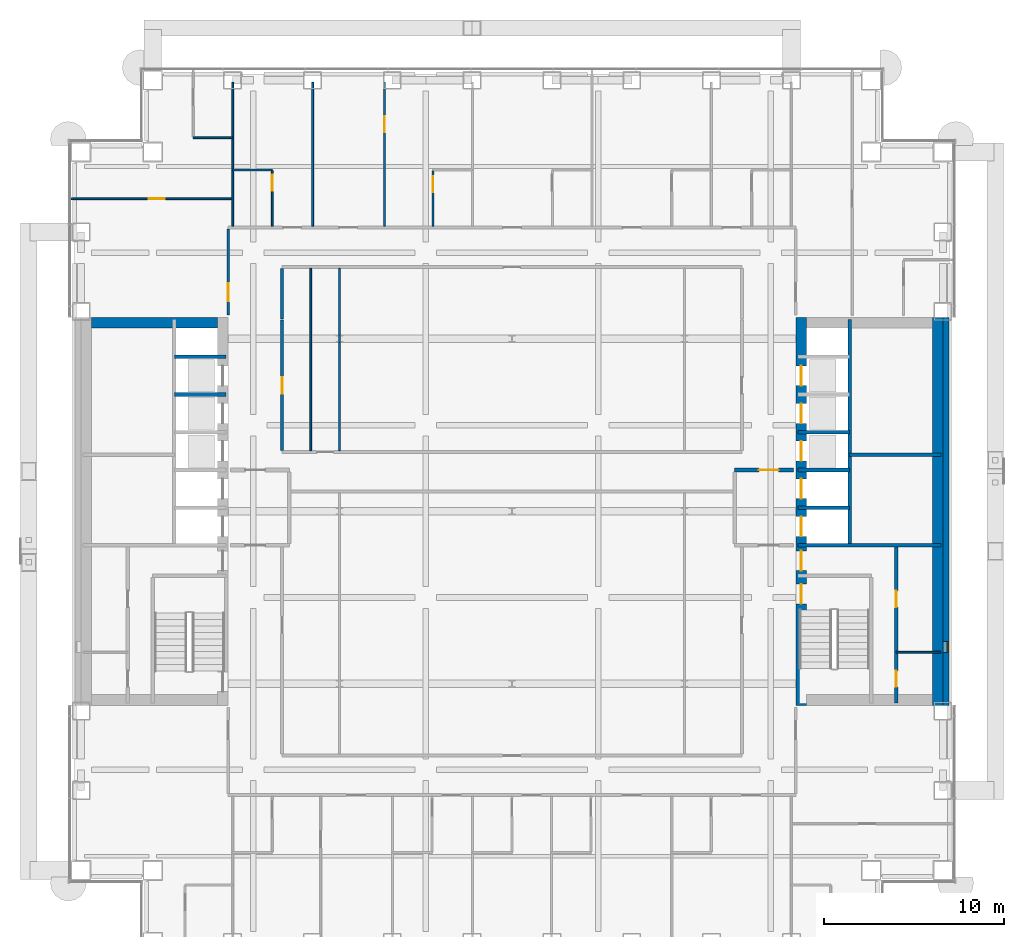
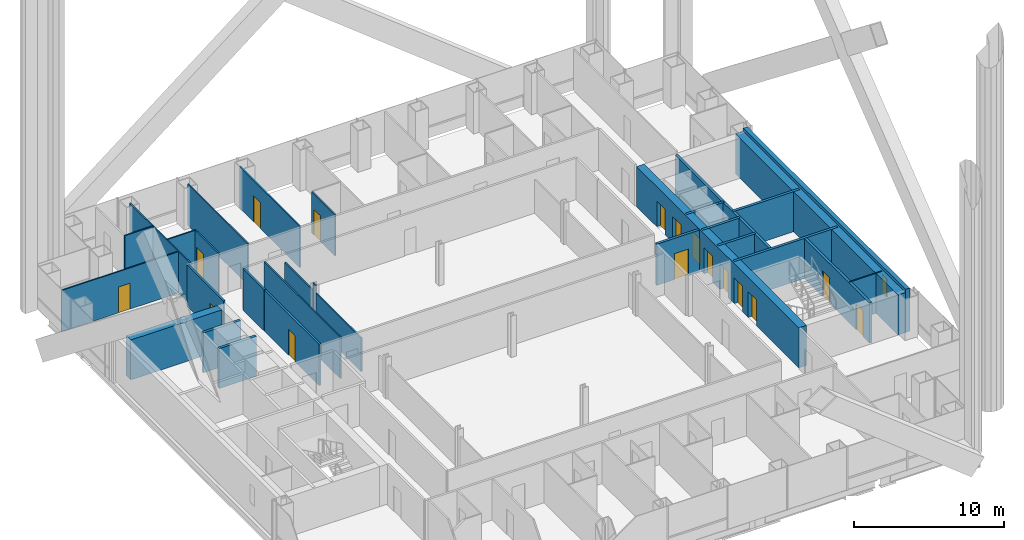
# One storey, part 20 of 28: 30 walls, 16 doors, 1 window, 17 openings.
"""IFC4 building model written with IfcOpenShell, lengths in metres."""

from ifc_helpers import new_model, si_unit, direction, frame, frame_2d, origin, place, context, subcontext, project, spatial, rectangle, extrude, material, layer, layer_set, type_object, element, fill, save


model = new_model("IFC4")

# Units and contexts
model_context = context("Model", 3, precision=1e-05, world=origin(), true_north=direction((0.0, 1.0)))
body_context = subcontext(model_context, "Body", "Model", "MODEL_VIEW")
ifc_project = project(units=[si_unit("LENGTHUNIT", "METRE"), si_unit("AREAUNIT", "SQUARE_METRE"), si_unit("VOLUMEUNIT", "CUBIC_METRE"), si_unit("PLANEANGLEUNIT", "RADIAN"), si_unit("MASSUNIT", "GRAM", prefix="KILO")], contexts=[model_context])

# Site, building, storey
site_placement = place(None, origin())
site = spatial("IfcSite", under=ifc_project, at=site_placement, CompositionType="ELEMENT")
building_placement = place(site_placement, origin())
building = spatial("IfcBuilding", under=site, at=building_placement, Name="Cobrizo Arcos Hotel Tower", CompositionType="ELEMENT")
storey_placement = place(building_placement, frame((0.0, 0.0, 39.0)))
storey = spatial("IfcBuildingStorey", under=building, at=storey_placement, Name="L07", CompositionType="ELEMENT", Elevation=39.0)

# Wall, opening, door
ifc_material_1 = material(Name="Gypsum board partition")
ifc_layer_1 = layer(ifc_material_1, 0.14990234375)
ifc_layer_set_1 = layer_set([ifc_layer_1], Name="Corridor wall EI 60 150")
wall_type_1 = type_object("IfcWallType", Name="Corridor wall EI 60 150", PredefinedType="PARTITIONING", material=ifc_layer_set_1)
wall_1_placement = place(storey_placement, frame((-15.800048828125, 10.919921875, 0.0), z_axis=(0.0, 0.0, 1.0), x_axis=(0.0, 1.0, 0.0)))
wall_1 = element("IfcWall", 1, at=wall_1_placement, inside=storey, type_object=wall_type_1, Name="Partition 051", PredefinedType="PARTITIONING", context=body_context, shape_type="SweptSolid", body=[
    extrude(rectangle(XDim=4.80517578125, YDim=0.14990234375, at=frame_2d((2.402587890625, 0.0))), origin(), (0.0, 0.0, 1.0), 3.35009765625),
])
opening_1_placement = place(wall_1_placement, frame((0.780029296875, 0.0, 0.0)))
opening_1 = element("IfcOpeningElement", 2, at=opening_1_placement, cuts=wall_1, Name="Opening GD-12", PredefinedType="OPENING", context=body_context, shape_type="SweptSolid", body=[
    extrude(rectangle(XDim=1.0, YDim=2.10009765625, at=frame_2d((0.5, 1.050048828125))), frame((0.0, 0.0869140625, 0.0), z_axis=(0.0, -1.0, 0.0), x_axis=(1.0, 0.0, 0.0)), (0.0, 0.0, 1.0), 0.173828125),
])
ifc_material_2 = material(Name="Timber door leaf", Category="wood")
door_type_1 = type_object("IfcDoorType", Name="Guest room door FD30S 1000x2100", OperationType="SINGLE_SWING_LEFT", PredefinedType="DOOR", material=ifc_material_2)
door_1_placement = place(opening_1_placement, origin())
door_1 = element("IfcDoor", 3, at=door_1_placement, inside=storey, type_object=door_type_1, Name="Door GD-12", OperationType="SINGLE_SWING_RIGHT", OverallHeight=2.10009765625, OverallWidth=1.0, PredefinedType="DOOR", context=body_context, shape_type="SweptSolid", body=[
    extrude(rectangle(XDim=1.0, YDim=2.10009765625, at=frame_2d((0.5, 1.050048828125))), frame((0.0, 0.02490234375, 0.0), z_axis=(0.0, -1.0, 0.0), x_axis=(1.0, 0.0, 0.0)), (0.0, 0.0, 1.0), 0.050048828125),
])
fill(opening_1, door_1)

wall_2_placement = place(storey_placement, frame((-12.800048828125, 3.375, 0.0), z_axis=(0.0, 0.0, 1.0), x_axis=(0.0, 1.0, 0.0)))
wall_2 = element("IfcWall", 4, at=wall_2_placement, inside=storey, type_object=wall_type_1, Name="Partition 057", PredefinedType="PARTITIONING", context=body_context, shape_type="SweptSolid", body=[
    extrude(rectangle(XDim=7.27490234375, YDim=0.14990234375, at=frame_2d((3.637451171875, 0.0))), origin(), (0.0, 0.0, 1.0), 3.35009765625),
])
opening_2_placement = place(wall_2_placement, frame((3.175048828125, 0.0, 0.0)))
opening_2 = element("IfcOpeningElement", 5, at=opening_2_placement, cuts=wall_2, Name="Opening ED-16", PredefinedType="OPENING", context=body_context, shape_type="SweptSolid", body=[
    extrude(rectangle(XDim=0.89990234375, YDim=2.10009765625, at=frame_2d((0.449951171875, 1.050048828125))), frame((0.0, 0.0869140625, 0.0), z_axis=(0.0, -1.0, 0.0), x_axis=(1.0, 0.0, 0.0)), (0.0, 0.0, 1.0), 0.173828125),
])
door_type_2 = type_object("IfcDoorType", Name="En-suite door 900x2100", OperationType="SINGLE_SWING_LEFT", PredefinedType="DOOR", material=ifc_material_2)
door_2_placement = place(opening_2_placement, origin())
door_2 = element("IfcDoor", 6, at=door_2_placement, inside=storey, type_object=door_type_2, Name="Door ED-16", OperationType="SINGLE_SWING_RIGHT", OverallHeight=2.10009765625, OverallWidth=0.89990234375, PredefinedType="DOOR", context=body_context, shape_type="SweptSolid", body=[
    extrude(rectangle(XDim=0.89990234375, YDim=2.10009765625, at=frame_2d((0.449951171875, 1.050048828125))), frame((0.0, 0.02490234375, 0.0), z_axis=(0.0, -1.0, 0.0), x_axis=(1.0, 0.0, 0.0)), (0.0, 0.0, 1.0), 0.050048828125),
])
fill(opening_2, door_2)

# Wall
wall_3_placement = place(storey_placement, frame((-12.800048828125, 10.699951171875, 0.0), z_axis=(0.0, 0.0, 1.0), x_axis=(0.0, 1.0, 0.0)))
element("IfcWall", 7, at=wall_3_placement, inside=storey, type_object=wall_type_1, Name="Partition 058", PredefinedType="PARTITIONING", context=body_context, shape_type="SweptSolid", body=[
    extrude(rectangle(XDim=2.824951171875, YDim=0.14990234375, at=frame_2d((1.41259765625, 0.0))), origin(), (0.0, 0.0, 1.0), 3.35009765625),
])

# Wall, opening, window
ifc_material_3 = material(Name="Aluminium composite panel pale metal", Category="aluminium")
ifc_layer_2 = layer(ifc_material_3, 0.324951171875)
ifc_layer_set_2 = layer_set([ifc_layer_2], Name="EW-1 insulated panel wall 325")
wall_type_2 = type_object("IfcWallType", Name="EW-1 insulated panel wall 325", PredefinedType="SOLIDWALL", material=ifc_layer_set_2)
wall_4_placement = place(storey_placement, frame((24.16259765625, -10.800048828125, 0.0), z_axis=(0.0, 0.0, 1.0), x_axis=(0.0, 1.0, 0.0)))
wall_4 = element("IfcWall", 8, at=wall_4_placement, inside=storey, type_object=wall_type_2, Name="Core face wall L07 E", PredefinedType="SOLIDWALL", context=body_context, shape_type="SweptSolid", body=[
    extrude(rectangle(XDim=21.60009765625, YDim=0.324951171875, at=frame_2d((10.800048828125, 0.0))), origin(), (0.0, 0.0, 1.0), 3.5),
])
opening_3_placement = place(wall_4_placement, frame((2.949951171875, 0.0, 1.0)))
opening_3 = element("IfcOpeningElement", 9, at=opening_3_placement, cuts=wall_4, Name="Opening W-09", PredefinedType="OPENING", context=body_context, shape_type="SweptSolid", body=[
    extrude(rectangle(XDim=0.60009765625, YDim=1.5, at=frame_2d((0.300048828125, 0.75))), frame((0.0, 0.174560546875, 0.0), z_axis=(0.0, -1.0, 0.0), x_axis=(1.0, 0.0, 0.0)), (0.0, 0.0, 1.0), 0.348876953125),
])
ifc_material_4 = material(Name="Aluminium 6063-T6 and clear laminated glass", Category="aluminium")
window_type = type_object("IfcWindowType", Name="W-C1 core stair slot window 600x1500", PartitioningType="SINGLE_PANEL", PredefinedType="WINDOW", material=ifc_material_4)
window_placement = place(opening_3_placement, origin())
window = element("IfcWindow", 10, at=window_placement, inside=storey, type_object=window_type, Name="Core face wall L07 E window W-09", OverallHeight=1.5, OverallWidth=0.60009765625, PartitioningType="SINGLE_PANEL", PredefinedType="WINDOW", context=body_context, shape_type="SweptSolid", body=[
    extrude(rectangle(XDim=0.60009765625, YDim=1.5, at=frame_2d((0.300048828125, 0.75))), frame((0.0, -0.072509765625, 0.0), z_axis=(0.0, -1.0, 0.0), x_axis=(1.0, 0.0, 0.0)), (0.0, 0.0, 1.0), 0.06005859375),
])
fill(opening_3, window)

# Wall
ifc_layer_3 = layer(ifc_material_1, 0.10009765625)
ifc_layer_set_3 = layer_set([ifc_layer_3], Name="Partition EI 30 100")
wall_type_3 = type_object("IfcWallType", Name="Partition EI 30 100", PredefinedType="PARTITIONING", material=ifc_layer_set_3)
wall_5_placement = place(storey_placement, frame((21.39990234375, -7.85009765625, 0.0), z_axis=(0.0, 0.0, 1.0), x_axis=(1.0, 0.0, 0.0)))
element("IfcWall", 11, at=wall_5_placement, inside=storey, type_object=wall_type_3, Name="Partition 012", PredefinedType="PARTITIONING", context=body_context, shape_type="SweptSolid", body=[
    extrude(rectangle(XDim=2.47998046875, YDim=0.10009765625, at=frame_2d((1.239990234375, 0.0))), origin(), (0.0, 0.0, 1.0), 3.25),
])

# Wall, opening, door
wall_6_placement = place(storey_placement, frame((-24.580078125, 17.39990234375, 0.0), z_axis=(0.0, 0.0, 1.0), x_axis=(1.0, 0.0, 0.0)))
wall_6 = element("IfcWall", 12, at=wall_6_placement, inside=storey, type_object=wall_type_3, Name="Partition 038", PredefinedType="PARTITIONING", context=body_context, shape_type="SweptSolid", body=[
    extrude(rectangle(XDim=9.030029296875, YDim=0.10009765625, at=frame_2d((4.51513671875, 0.0))), origin(), (0.0, 0.0, 1.0), 3.35009765625),
])
opening_4_placement = place(wall_6_placement, frame((4.35205078125, 0.0, 0.0)))
opening_4 = element("IfcOpeningElement", 13, at=opening_4_placement, cuts=wall_6, Name="Opening RD-06", PredefinedType="OPENING", context=body_context, shape_type="SweptSolid", body=[
    extrude(rectangle(XDim=0.89990234375, YDim=2.10009765625, at=frame_2d((0.449951171875, 1.050048828125))), frame((0.0, 0.06201171875, 0.0), z_axis=(0.0, -1.0, 0.0), x_axis=(1.0, 0.0, 0.0)), (0.0, 0.0, 1.0), 0.1240234375),
])
door_type_3 = type_object("IfcDoorType", Name="Room door FD30 900x2100", OperationType="SINGLE_SWING_LEFT", PredefinedType="DOOR", material=ifc_material_2)
door_3_placement = place(opening_4_placement, origin())
door_3 = element("IfcDoor", 14, at=door_3_placement, inside=storey, type_object=door_type_3, Name="Door RD-06", OperationType="SINGLE_SWING_LEFT", OverallHeight=2.10009765625, OverallWidth=0.89990234375, PredefinedType="DOOR", context=body_context, shape_type="SweptSolid", body=[
    extrude(rectangle(XDim=0.89990234375, YDim=2.10009765625, at=frame_2d((0.449951171875, 1.050048828125))), frame((0.0, 0.02490234375, 0.0), z_axis=(0.0, -1.0, 0.0), x_axis=(1.0, 0.0, 0.0)), (0.0, 0.0, 1.0), 0.050048828125),
])
fill(opening_4, door_3)

# Walls
for number, where, z_axis, x_axis, name in (
    (15, (-15.550048828125, 19.0, 0.0), (0.0, 0.0, 1.0), (1.0, 0.0, 0.0), "Partition 039"),
    (16, (-17.75, 20.800048828125, 0.0), (0.0, 0.0, 1.0), (1.0, 0.0, 0.0), "Partition 044"),
):
    element("IfcWall", number, at=place(storey_placement, frame(where, z_axis=z_axis, x_axis=x_axis)), inside=storey, type_object=wall_type_3, Name=name, PredefinedType="PARTITIONING", context=body_context, shape_type="SweptSolid", body=[
        extrude(rectangle(XDim=2.199951171875, YDim=0.10009765625, at=frame_2d((1.10009765625, 0.0))), origin(), (0.0, 0.0, 1.0), 3.35009765625),
    ])
wall_7_placement = place(storey_placement, frame((-15.550048828125, 15.875, 0.0), z_axis=(0.0, 0.0, 1.0), x_axis=(0.0, 1.0, 0.0)))
element("IfcWall", 17, at=wall_7_placement, inside=storey, type_object=wall_type_3, Name="Partition 053", PredefinedType="PARTITIONING", context=body_context, shape_type="SweptSolid", body=[
    extrude(rectangle(XDim=8.0048828125, YDim=0.10009765625, at=frame_2d((4.00244140625, 0.0))), origin(), (0.0, 0.0, 1.0), 3.35009765625),
])

# Wall, opening, door
wall_8_placement = place(storey_placement, frame((-13.35009765625, 15.875, 0.0), z_axis=(0.0, 0.0, 1.0), x_axis=(0.0, 1.0, 0.0)))
wall_8 = element("IfcWall", 18, at=wall_8_placement, inside=storey, type_object=wall_type_3, Name="Partition 055", PredefinedType="PARTITIONING", context=body_context, shape_type="SweptSolid", body=[
    extrude(rectangle(XDim=3.074951171875, YDim=0.10009765625, at=frame_2d((1.53759765625, 0.0))), origin(), (0.0, 0.0, 1.0), 3.35009765625),
])
opening_5_placement = place(wall_8_placement, frame((1.970947265625, 0.0, 0.0)))
opening_5 = element("IfcOpeningElement", 19, at=opening_5_placement, cuts=wall_8, Name="Opening ED-02", PredefinedType="OPENING", context=body_context, shape_type="SweptSolid", body=[
    extrude(rectangle(XDim=0.89990234375, YDim=2.10009765625, at=frame_2d((0.449951171875, 1.050048828125))), frame((0.0, 0.06201171875, 0.0), z_axis=(0.0, -1.0, 0.0), x_axis=(1.0, 0.0, 0.0)), (0.0, 0.0, 1.0), 0.1240234375),
])
door_4_placement = place(opening_5_placement, origin())
door_4 = element("IfcDoor", 20, at=door_4_placement, inside=storey, type_object=door_type_2, Name="Door ED-02", OperationType="SINGLE_SWING_LEFT", OverallHeight=2.10009765625, OverallWidth=0.89990234375, PredefinedType="DOOR", context=body_context, shape_type="SweptSolid", body=[
    extrude(rectangle(XDim=0.89990234375, YDim=2.10009765625, at=frame_2d((0.449951171875, 1.050048828125))), frame((0.0, 0.02490234375, 0.0), z_axis=(0.0, -1.0, 0.0), x_axis=(1.0, 0.0, 0.0)), (0.0, 0.0, 1.0), 0.050048828125),
])
fill(opening_5, door_4)

# Walls
wall_9_placement = place(storey_placement, frame((-11.199951171875, 3.375, 0.0), z_axis=(0.0, 0.0, 1.0), x_axis=(0.0, 1.0, 0.0)))
element("IfcWall", 21, at=wall_9_placement, inside=storey, type_object=wall_type_3, Name="Partition 060", PredefinedType="PARTITIONING", context=body_context, shape_type="SweptSolid", body=[
    extrude(rectangle(XDim=10.14990234375, YDim=0.10009765625, at=frame_2d((5.074951171875, 0.0))), origin(), (0.0, 0.0, 1.0), 3.35009765625),
])
wall_10_placement = place(storey_placement, frame((-11.10009765625, 15.875, 0.0), z_axis=(0.0, 0.0, 1.0), x_axis=(0.0, 1.0, 0.0)))
element("IfcWall", 22, at=wall_10_placement, inside=storey, type_object=wall_type_3, Name="Partition 061", PredefinedType="PARTITIONING", context=body_context, shape_type="SweptSolid", body=[
    extrude(rectangle(XDim=8.0048828125, YDim=0.10009765625, at=frame_2d((4.00244140625, 0.0))), origin(), (0.0, 0.0, 1.0), 3.35009765625),
])
wall_11_placement = place(storey_placement, frame((-9.60009765625, 3.375, 0.0), z_axis=(0.0, 0.0, 1.0), x_axis=(0.0, 1.0, 0.0)))
element("IfcWall", 23, at=wall_11_placement, inside=storey, type_object=wall_type_3, Name="Partition 068", PredefinedType="PARTITIONING", context=body_context, shape_type="SweptSolid", body=[
    extrude(rectangle(XDim=6.02099609375, YDim=0.10009765625, at=frame_2d((3.010498046875, 0.0))), origin(), (0.0, 0.0, 1.0), 2.72802734375),
])
wall_12_placement = place(storey_placement, frame((-9.60009765625, 9.39599609375, 0.0), z_axis=(0.0, 0.0, 1.0), x_axis=(0.0, 1.0, 0.0)))
element("IfcWall", 24, at=wall_12_placement, inside=storey, type_object=wall_type_3, Name="Partition 069", PredefinedType="PARTITIONING", context=body_context, shape_type="SweptSolid", body=[
    extrude(rectangle(XDim=0.407958984375, YDim=0.10009765625, at=frame_2d((0.2041015625, 0.0))), origin(), (0.0, 0.0, 1.0), 3.35009765625),
])
wall_13_placement = place(storey_placement, frame((-9.60009765625, 9.803955078125, 0.0), z_axis=(0.0, 0.0, 1.0), x_axis=(0.0, 1.0, 0.0)))
element("IfcWall", 25, at=wall_13_placement, inside=storey, type_object=wall_type_3, Name="Partition 070", PredefinedType="PARTITIONING", context=body_context, shape_type="SweptSolid", body=[
    extrude(rectangle(XDim=3.720947265625, YDim=0.10009765625, at=frame_2d((1.8603515625, 0.0))), origin(), (0.0, 0.0, 1.0), 2.72802734375),
])

# Wall, opening, door
wall_14_placement = place(storey_placement, frame((-7.10009765625, 15.875, 0.0), z_axis=(0.0, 0.0, 1.0), x_axis=(0.0, 1.0, 0.0)))
wall_14 = element("IfcWall", 26, at=wall_14_placement, inside=storey, type_object=wall_type_3, Name="Partition 071", PredefinedType="PARTITIONING", context=body_context, shape_type="SweptSolid", body=[
    extrude(rectangle(XDim=8.0048828125, YDim=0.10009765625, at=frame_2d((4.00244140625, 0.0))), origin(), (0.0, 0.0, 1.0), 3.35009765625),
])
opening_6_placement = place(wall_14_placement, frame((5.215087890625, 0.0, 0.0)))
opening_6 = element("IfcOpeningElement", 27, at=opening_6_placement, cuts=wall_14, Name="Opening RD-04", PredefinedType="OPENING", context=body_context, shape_type="SweptSolid", body=[
    extrude(rectangle(XDim=0.89990234375, YDim=2.10009765625, at=frame_2d((0.449951171875, 1.050048828125))), frame((0.0, 0.06201171875, 0.0), z_axis=(0.0, -1.0, 0.0), x_axis=(1.0, 0.0, 0.0)), (0.0, 0.0, 1.0), 0.1240234375),
])
door_5_placement = place(opening_6_placement, origin())
door_5 = element("IfcDoor", 28, at=door_5_placement, inside=storey, type_object=door_type_3, Name="Door RD-04", OperationType="SINGLE_SWING_LEFT", OverallHeight=2.10009765625, OverallWidth=0.89990234375, PredefinedType="DOOR", context=body_context, shape_type="SweptSolid", body=[
    extrude(rectangle(XDim=0.89990234375, YDim=2.10009765625, at=frame_2d((0.449951171875, 1.050048828125))), frame((0.0, 0.02490234375, 0.0), z_axis=(0.0, -1.0, 0.0), x_axis=(1.0, 0.0, 0.0)), (0.0, 0.0, 1.0), 0.050048828125),
])
fill(opening_6, door_5)

wall_15_placement = place(storey_placement, frame((-4.39990234375, 15.875, 0.0), z_axis=(0.0, 0.0, 1.0), x_axis=(0.0, 1.0, 0.0)))
wall_15 = element("IfcWall", 29, at=wall_15_placement, inside=storey, type_object=wall_type_3, Name="Partition 074", PredefinedType="PARTITIONING", context=body_context, shape_type="SweptSolid", body=[
    extrude(rectangle(XDim=3.074951171875, YDim=0.10009765625, at=frame_2d((1.53759765625, 0.0))), origin(), (0.0, 0.0, 1.0), 3.35009765625),
])
opening_7_placement = place(wall_15_placement, frame((1.875, 0.0, 0.0)))
opening_7 = element("IfcOpeningElement", 30, at=opening_7_placement, cuts=wall_15, Name="Opening ED-03", PredefinedType="OPENING", context=body_context, shape_type="SweptSolid", body=[
    extrude(rectangle(XDim=0.89990234375, YDim=2.10009765625, at=frame_2d((0.449951171875, 1.050048828125))), frame((0.0, 0.06201171875, 0.0), z_axis=(0.0, -1.0, 0.0), x_axis=(1.0, 0.0, 0.0)), (0.0, 0.0, 1.0), 0.1240234375),
])
door_6_placement = place(opening_7_placement, origin())
door_6 = element("IfcDoor", 31, at=door_6_placement, inside=storey, type_object=door_type_2, Name="Door ED-03", OperationType="SINGLE_SWING_RIGHT", OverallHeight=2.10009765625, OverallWidth=0.89990234375, PredefinedType="DOOR", context=body_context, shape_type="SweptSolid", body=[
    extrude(rectangle(XDim=0.89990234375, YDim=2.10009765625, at=frame_2d((0.449951171875, 1.050048828125))), frame((0.0, 0.02490234375, 0.0), z_axis=(0.0, -1.0, 0.0), x_axis=(1.0, 0.0, 0.0)), (0.0, 0.0, 1.0), 0.050048828125),
])
fill(opening_7, door_6)

# Wall, openings, doors
ifc_material_5 = material(Name="Concrete f'c 60 MPa", Category="concrete")
ifc_layer_4 = layer(ifc_material_5, 0.60009765625)
ifc_layer_set_4 = layer_set([ifc_layer_4], Name="RC core wall 600 f'c 60")
wall_type_4 = type_object("IfcWallType", Name="RC core wall 600 f'c 60", PredefinedType="SHEAR", material=ifc_layer_set_4)
wall_16_placement = place(storey_placement, frame((16.10009765625, -10.800048828125, 0.0), z_axis=(0.0, 0.0, 1.0), x_axis=(0.0, 1.0, 0.0)))
wall_16 = element("IfcWall", 32, at=wall_16_placement, inside=storey, type_object=wall_type_4, Name="Core wall CW1, east core, inner face, L07", PredefinedType="SHEAR", context=body_context, shape_type="SweptSolid", body=[
    extrude(rectangle(XDim=21.60009765625, YDim=0.60009765625, at=frame_2d((10.800048828125, 0.0))), origin(), (0.0, 0.0, 1.0), 3.25),
])
opening_8_placement = place(wall_16_placement, frame((9.39990234375, 0.0, 0.0)))
opening_8 = element("IfcOpeningElement", 33, at=opening_8_placement, cuts=wall_16, Name="Opening LD-06", PredefinedType="OPENING", context=body_context, shape_type="SweptSolid", body=[
    extrude(rectangle(XDim=1.10009765625, YDim=2.10009765625, at=frame_2d((0.550048828125, 1.050048828125))), frame((0.0, 0.31201171875, 0.0), z_axis=(0.0, -1.0, 0.0), x_axis=(1.0, 0.0, 0.0)), (0.0, 0.0, 1.0), 0.6240234375),
])
opening_9_placement = place(wall_16_placement, frame((11.5, 0.0, 0.0)))
opening_9 = element("IfcOpeningElement", 34, at=opening_9_placement, cuts=wall_16, Name="Opening LD-07", PredefinedType="OPENING", context=body_context, shape_type="SweptSolid", body=[
    extrude(rectangle(XDim=1.10009765625, YDim=2.10009765625, at=frame_2d((0.550048828125, 1.050048828125))), frame((0.0, 0.31201171875, 0.0), z_axis=(0.0, -1.0, 0.0), x_axis=(1.0, 0.0, 0.0)), (0.0, 0.0, 1.0), 0.6240234375),
])
opening_10_placement = place(wall_16_placement, frame((13.60009765625, 0.0, 0.0)))
opening_10 = element("IfcOpeningElement", 35, at=opening_10_placement, cuts=wall_16, Name="Opening LD-08", PredefinedType="OPENING", context=body_context, shape_type="SweptSolid", body=[
    extrude(rectangle(XDim=1.10009765625, YDim=2.10009765625, at=frame_2d((0.550048828125, 1.050048828125))), frame((0.0, 0.31201171875, 0.0), z_axis=(0.0, -1.0, 0.0), x_axis=(1.0, 0.0, 0.0)), (0.0, 0.0, 1.0), 0.6240234375),
])
opening_11_placement = place(wall_16_placement, frame((15.699951171875, 0.0, 0.0)))
opening_11 = element("IfcOpeningElement", 36, at=opening_11_placement, cuts=wall_16, Name="Opening LD-09", PredefinedType="OPENING", context=body_context, shape_type="SweptSolid", body=[
    extrude(rectangle(XDim=1.10009765625, YDim=2.10009765625, at=frame_2d((0.550048828125, 1.050048828125))), frame((0.0, 0.31201171875, 0.0), z_axis=(0.0, -1.0, 0.0), x_axis=(1.0, 0.0, 0.0)), (0.0, 0.0, 1.0), 0.6240234375),
])
opening_12_placement = place(wall_16_placement, frame((17.800048828125, 0.0, 0.0)))
opening_12 = element("IfcOpeningElement", 37, at=opening_12_placement, cuts=wall_16, Name="Opening LD-10", PredefinedType="OPENING", context=body_context, shape_type="SweptSolid", body=[
    extrude(rectangle(XDim=1.10009765625, YDim=2.10009765625, at=frame_2d((0.550048828125, 1.050048828125))), frame((0.0, 0.31201171875, 0.0), z_axis=(0.0, -1.0, 0.0), x_axis=(1.0, 0.0, 0.0)), (0.0, 0.0, 1.0), 0.6240234375),
])
opening_13_placement = place(wall_16_placement, frame((5.64208984375, 0.0, 0.0)))
opening_13 = element("IfcOpeningElement", 38, at=opening_13_placement, cuts=wall_16, Name="Opening SD-02", PredefinedType="OPENING", context=body_context, shape_type="SweptSolid", body=[
    extrude(rectangle(XDim=1.10009765625, YDim=2.10009765625, at=frame_2d((0.550048828125, 1.050048828125))), frame((0.0, 0.31201171875, 0.0), z_axis=(0.0, -1.0, 0.0), x_axis=(1.0, 0.0, 0.0)), (0.0, 0.0, 1.0), 0.6240234375),
])
opening_14_placement = place(wall_16_placement, frame((7.5, 0.0, 0.0)))
opening_14 = element("IfcOpeningElement", 39, at=opening_14_placement, cuts=wall_16, Name="Opening FD-04", PredefinedType="OPENING", context=body_context, shape_type="SweptSolid", body=[
    extrude(rectangle(XDim=1.10009765625, YDim=2.10009765625, at=frame_2d((0.550048828125, 1.050048828125))), frame((0.0, 0.31201171875, 0.0), z_axis=(0.0, -1.0, 0.0), x_axis=(1.0, 0.0, 0.0)), (0.0, 0.0, 1.0), 0.6240234375),
])
ifc_material_6 = material(Name="Steel door leaf", Category="steel")
door_type_4 = type_object("IfcDoorType", Name="Fire door FD60 1100x2100", OperationType="SINGLE_SWING_LEFT", PredefinedType="DOOR", material=ifc_material_6)
door_7_placement = place(opening_14_placement, origin())
door_7 = element("IfcDoor", 40, at=door_7_placement, inside=storey, type_object=door_type_4, Name="Door FD-04", OperationType="SINGLE_SWING_RIGHT", OverallHeight=2.10009765625, OverallWidth=1.10009765625, PredefinedType="DOOR", context=body_context, shape_type="SweptSolid", body=[
    extrude(rectangle(XDim=1.10009765625, YDim=2.10009765625, at=frame_2d((0.550048828125, 1.050048828125))), frame((0.0, 0.02490234375, 0.0), z_axis=(0.0, -1.0, 0.0), x_axis=(1.0, 0.0, 0.0)), (0.0, 0.0, 1.0), 0.050048828125),
])
fill(opening_14, door_7)
door_type_5 = type_object("IfcDoorType", Name="Lift landing door 1100x2100", OperationType="SLIDING_TO_LEFT", PredefinedType="DOOR", material=ifc_material_6)
door_8_placement = place(opening_8_placement, origin())
door_8 = element("IfcDoor", 41, at=door_8_placement, inside=storey, type_object=door_type_5, Name="Lift landing door LD-06", OperationType="SLIDING_TO_LEFT", OverallHeight=2.10009765625, OverallWidth=1.10009765625, PredefinedType="DOOR", context=body_context, shape_type="SweptSolid", body=[
    extrude(rectangle(XDim=1.10009765625, YDim=2.10009765625, at=frame_2d((0.550048828125, 1.050048828125))), frame((0.0, 0.02490234375, 0.0), z_axis=(0.0, -1.0, 0.0), x_axis=(1.0, 0.0, 0.0)), (0.0, 0.0, 1.0), 0.050048828125),
])
fill(opening_8, door_8)
door_9_placement = place(opening_9_placement, origin())
door_9 = element("IfcDoor", 42, at=door_9_placement, inside=storey, type_object=door_type_5, Name="Lift landing door LD-07", OperationType="SLIDING_TO_LEFT", OverallHeight=2.10009765625, OverallWidth=1.10009765625, PredefinedType="DOOR", context=body_context, shape_type="SweptSolid", body=[
    extrude(rectangle(XDim=1.10009765625, YDim=2.10009765625, at=frame_2d((0.550048828125, 1.050048828125))), frame((0.0, 0.02490234375, 0.0), z_axis=(0.0, -1.0, 0.0), x_axis=(1.0, 0.0, 0.0)), (0.0, 0.0, 1.0), 0.050048828125),
])
fill(opening_9, door_9)
door_10_placement = place(opening_10_placement, origin())
door_10 = element("IfcDoor", 43, at=door_10_placement, inside=storey, type_object=door_type_5, Name="Lift landing door LD-08", OperationType="SLIDING_TO_LEFT", OverallHeight=2.10009765625, OverallWidth=1.10009765625, PredefinedType="DOOR", context=body_context, shape_type="SweptSolid", body=[
    extrude(rectangle(XDim=1.10009765625, YDim=2.10009765625, at=frame_2d((0.550048828125, 1.050048828125))), frame((0.0, 0.02490234375, 0.0), z_axis=(0.0, -1.0, 0.0), x_axis=(1.0, 0.0, 0.0)), (0.0, 0.0, 1.0), 0.050048828125),
])
fill(opening_10, door_10)
door_11_placement = place(opening_11_placement, origin())
door_11 = element("IfcDoor", 44, at=door_11_placement, inside=storey, type_object=door_type_5, Name="Lift landing door LD-09", OperationType="SLIDING_TO_LEFT", OverallHeight=2.10009765625, OverallWidth=1.10009765625, PredefinedType="DOOR", context=body_context, shape_type="SweptSolid", body=[
    extrude(rectangle(XDim=1.10009765625, YDim=2.10009765625, at=frame_2d((0.550048828125, 1.050048828125))), frame((0.0, 0.02490234375, 0.0), z_axis=(0.0, -1.0, 0.0), x_axis=(1.0, 0.0, 0.0)), (0.0, 0.0, 1.0), 0.050048828125),
])
fill(opening_11, door_11)
door_12_placement = place(opening_12_placement, origin())
door_12 = element("IfcDoor", 45, at=door_12_placement, inside=storey, type_object=door_type_5, Name="Lift landing door LD-10", OperationType="SLIDING_TO_LEFT", OverallHeight=2.10009765625, OverallWidth=1.10009765625, PredefinedType="DOOR", context=body_context, shape_type="SweptSolid", body=[
    extrude(rectangle(XDim=1.10009765625, YDim=2.10009765625, at=frame_2d((0.550048828125, 1.050048828125))), frame((0.0, 0.02490234375, 0.0), z_axis=(0.0, -1.0, 0.0), x_axis=(1.0, 0.0, 0.0)), (0.0, 0.0, 1.0), 0.050048828125),
])
fill(opening_12, door_12)
door_type_6 = type_object("IfcDoorType", Name="Stair door FD60S 1100x2100", OperationType="SINGLE_SWING_LEFT", PredefinedType="DOOR", material=ifc_material_6)
door_13_placement = place(opening_13_placement, origin())
door_13 = element("IfcDoor", 46, at=door_13_placement, inside=storey, type_object=door_type_6, Name="Door SD-02", OperationType="SINGLE_SWING_LEFT", OverallHeight=2.10009765625, OverallWidth=1.10009765625, PredefinedType="DOOR", context=body_context, shape_type="SweptSolid", body=[
    extrude(rectangle(XDim=1.10009765625, YDim=2.10009765625, at=frame_2d((0.550048828125, 1.050048828125))), frame((0.0, 0.02490234375, 0.0), z_axis=(0.0, -1.0, 0.0), x_axis=(1.0, 0.0, 0.0)), (0.0, 0.0, 1.0), 0.050048828125),
])
fill(opening_13, door_13)

# Walls
wall_17_placement = place(storey_placement, frame((23.699951171875, -10.800048828125, 0.0), z_axis=(0.0, 0.0, 1.0), x_axis=(0.0, 1.0, 0.0)))
element("IfcWall", 47, at=wall_17_placement, inside=storey, type_object=wall_type_4, Name="Core wall CW1, east core, outer face, L07", PredefinedType="SHEAR", context=body_context, shape_type="SweptSolid", body=[
    extrude(rectangle(XDim=21.60009765625, YDim=0.60009765625, at=frame_2d((10.800048828125, 0.0))), origin(), (0.0, 0.0, 1.0), 3.25),
])
wall_18_placement = place(storey_placement, frame((-23.39990234375, 10.5, 0.0), z_axis=(0.0, 0.0, 1.0), x_axis=(1.0, 0.0, 0.0)))
element("IfcWall", 48, at=wall_18_placement, inside=storey, type_object=wall_type_4, Name="Core wall CW1, west core, north end, L07", PredefinedType="SHEAR", context=body_context, shape_type="SweptSolid", body=[
    extrude(rectangle(XDim=7.0, YDim=0.60009765625, at=frame_2d((3.5, 0.0))), origin(), (0.0, 0.0, 1.0), 3.25),
])
ifc_layer_5 = layer(ifc_material_1, 0.199951171875)
ifc_layer_set_5 = layer_set([ifc_layer_5], Name="Shaft wall EI 120 200")
wall_type_5 = type_object("IfcWallType", Name="Shaft wall EI 120 200", PredefinedType="PARTITIONING", material=ifc_layer_set_5)
wall_19_placement = place(storey_placement, frame((15.919921875, -1.89990234375, 0.0), z_axis=(0.0, 0.0, 1.0), x_axis=(1.0, 0.0, 0.0)))
element("IfcWall", 49, at=wall_19_placement, inside=storey, type_object=wall_type_5, Name="Partition 018", PredefinedType="PARTITIONING", context=body_context, shape_type="SweptSolid", body=[
    extrude(rectangle(XDim=7.9599609375, YDim=0.199951171875, at=frame_2d((3.97998046875, 0.0))), origin(), (0.0, 0.0, 1.0), 3.25),
])
wall_20_placement = place(storey_placement, frame((15.919921875, 0.199951171875, 0.0), z_axis=(0.0, 0.0, 1.0), x_axis=(1.0, 0.0, 0.0)))
element("IfcWall", 50, at=wall_20_placement, inside=storey, type_object=wall_type_5, Name="Partition 020", PredefinedType="PARTITIONING", context=body_context, shape_type="SweptSolid", body=[
    extrude(rectangle(XDim=2.880126953125, YDim=0.199951171875, at=frame_2d((1.43994140625, 0.0))), origin(), (0.0, 0.0, 1.0), 3.25),
])

# Wall, opening, door
wall_21_placement = place(storey_placement, frame((12.39990234375, 2.300048828125, 0.0), z_axis=(0.0, 0.0, 1.0), x_axis=(1.0, 0.0, 0.0)))
wall_21 = element("IfcWall", 51, at=wall_21_placement, inside=storey, type_object=wall_type_5, Name="Partition 024", PredefinedType="PARTITIONING", context=body_context, shape_type="SweptSolid", body=[
    extrude(rectangle(XDim=3.280029296875, YDim=0.199951171875, at=frame_2d((1.64013671875, 0.0))), origin(), (0.0, 0.0, 1.0), 3.35009765625),
])
opening_15_placement = place(wall_21_placement, frame((1.340087890625, 0.0, 0.0)))
opening_15 = element("IfcOpeningElement", 52, at=opening_15_placement, cuts=wall_21, Name="Opening FD-05", PredefinedType="OPENING", context=body_context, shape_type="SweptSolid", body=[
    extrude(rectangle(XDim=1.10009765625, YDim=2.10009765625, at=frame_2d((0.550048828125, 1.050048828125))), frame((0.0, 0.112060546875, 0.0), z_axis=(0.0, -1.0, 0.0), x_axis=(1.0, 0.0, 0.0)), (0.0, 0.0, 1.0), 0.223876953125),
])
door_14_placement = place(opening_15_placement, origin())
door_14 = element("IfcDoor", 53, at=door_14_placement, inside=storey, type_object=door_type_4, Name="Door FD-05", OperationType="SINGLE_SWING_LEFT", OverallHeight=2.10009765625, OverallWidth=1.10009765625, PredefinedType="DOOR", context=body_context, shape_type="SweptSolid", body=[
    extrude(rectangle(XDim=1.10009765625, YDim=2.10009765625, at=frame_2d((0.550048828125, 1.050048828125))), frame((0.0, 0.02490234375, 0.0), z_axis=(0.0, -1.0, 0.0), x_axis=(1.0, 0.0, 0.0)), (0.0, 0.0, 1.0), 0.050048828125),
])
fill(opening_15, door_14)

# Walls
wall_22_placement = place(storey_placement, frame((15.919921875, 2.300048828125, 0.0), z_axis=(0.0, 0.0, 1.0), x_axis=(1.0, 0.0, 0.0)))
element("IfcWall", 54, at=wall_22_placement, inside=storey, type_object=wall_type_5, Name="Partition 025", PredefinedType="PARTITIONING", context=body_context, shape_type="SweptSolid", body=[
    extrude(rectangle(XDim=2.880126953125, YDim=0.199951171875, at=frame_2d((1.43994140625, 0.0))), origin(), (0.0, 0.0, 1.0), 3.25),
])
wall_23_placement = place(storey_placement, frame((18.800048828125, 3.14990234375, 0.0), z_axis=(0.0, 0.0, 1.0), x_axis=(1.0, 0.0, 0.0)))
element("IfcWall", 55, at=wall_23_placement, inside=storey, type_object=wall_type_5, Name="Partition 027", PredefinedType="PARTITIONING", context=body_context, shape_type="SweptSolid", body=[
    extrude(rectangle(XDim=5.079833984375, YDim=0.199951171875, at=frame_2d((2.5400390625, 0.0))), origin(), (0.0, 0.0, 1.0), 3.25),
])
for number, where, z_axis, x_axis, name in (
    (56, (15.919921875, 4.39990234375, 0.0), (0.0, 0.0, 1.0), (1.0, 0.0, 0.0), "Partition 030"),
    (57, (-18.800048828125, 6.5, 0.0), (0.0, 0.0, 1.0), (1.0, 0.0, 0.0), "Partition 031"),
    (58, (-18.800048828125, 8.60009765625, 0.0), (0.0, 0.0, 1.0), (1.0, 0.0, 0.0), "Partition 033"),
):
    element("IfcWall", number, at=place(storey_placement, frame(where, z_axis=z_axis, x_axis=x_axis)), inside=storey, type_object=wall_type_5, Name=name, PredefinedType="PARTITIONING", context=body_context, shape_type="SweptSolid", body=[
        extrude(rectangle(XDim=2.880126953125, YDim=0.199951171875, at=frame_2d((1.43994140625, 0.0))), origin(), (0.0, 0.0, 1.0), 3.25),
    ])
wall_24_placement = place(storey_placement, frame((18.800048828125, -1.800048828125, 0.0), z_axis=(0.0, 0.0, 1.0), x_axis=(0.0, 1.0, 0.0)))
element("IfcWall", 59, at=wall_24_placement, inside=storey, type_object=wall_type_5, Name="Partition 104", PredefinedType="PARTITIONING", context=body_context, shape_type="SweptSolid", body=[
    extrude(rectangle(XDim=12.47998046875, YDim=0.199951171875, at=frame_2d((6.239990234375, 0.0))), origin(), (0.0, 0.0, 1.0), 3.25),
])

# Wall, openings, doors
wall_25_placement = place(storey_placement, frame((21.39990234375, -10.679931640625, 0.0), z_axis=(0.0, 0.0, 1.0), x_axis=(0.0, 1.0, 0.0)))
wall_25 = element("IfcWall", 60, at=wall_25_placement, inside=storey, type_object=wall_type_5, Name="Partition 107", PredefinedType="PARTITIONING", context=body_context, shape_type="SweptSolid", body=[
    extrude(rectangle(XDim=8.679931640625, YDim=0.199951171875, at=frame_2d((4.33984375, 0.0))), origin(), (0.0, 0.0, 1.0), 3.25),
])
opening_16_placement = place(wall_25_placement, frame((0.89892578125, 0.0, 0.0)))
opening_16 = element("IfcOpeningElement", 61, at=opening_16_placement, cuts=wall_25, Name="Opening RD-02", PredefinedType="OPENING", context=body_context, shape_type="SweptSolid", body=[
    extrude(rectangle(XDim=0.89990234375, YDim=2.10009765625, at=frame_2d((0.449951171875, 1.050048828125))), frame((0.0, 0.112060546875, 0.0), z_axis=(0.0, -1.0, 0.0), x_axis=(1.0, 0.0, 0.0)), (0.0, 0.0, 1.0), 0.223876953125),
])
opening_17_placement = place(wall_25_placement, frame((5.34912109375, 0.0, 0.0)))
opening_17 = element("IfcOpeningElement", 62, at=opening_17_placement, cuts=wall_25, Name="Opening RD-03", PredefinedType="OPENING", context=body_context, shape_type="SweptSolid", body=[
    extrude(rectangle(XDim=0.89990234375, YDim=2.10009765625, at=frame_2d((0.449951171875, 1.050048828125))), frame((0.0, 0.112060546875, 0.0), z_axis=(0.0, -1.0, 0.0), x_axis=(1.0, 0.0, 0.0)), (0.0, 0.0, 1.0), 0.223876953125),
])
door_15_placement = place(opening_16_placement, origin())
door_15 = element("IfcDoor", 63, at=door_15_placement, inside=storey, type_object=door_type_3, Name="Door RD-02", OperationType="SINGLE_SWING_LEFT", OverallHeight=2.10009765625, OverallWidth=0.89990234375, PredefinedType="DOOR", context=body_context, shape_type="SweptSolid", body=[
    extrude(rectangle(XDim=0.89990234375, YDim=2.10009765625, at=frame_2d((0.449951171875, 1.050048828125))), frame((0.0, 0.02490234375, 0.0), z_axis=(0.0, -1.0, 0.0), x_axis=(1.0, 0.0, 0.0)), (0.0, 0.0, 1.0), 0.050048828125),
])
fill(opening_16, door_15)
door_16_placement = place(opening_17_placement, origin())
door_16 = element("IfcDoor", 64, at=door_16_placement, inside=storey, type_object=door_type_3, Name="Door RD-03", OperationType="SINGLE_SWING_RIGHT", OverallHeight=2.10009765625, OverallWidth=0.89990234375, PredefinedType="DOOR", context=body_context, shape_type="SweptSolid", body=[
    extrude(rectangle(XDim=0.89990234375, YDim=2.10009765625, at=frame_2d((0.449951171875, 1.050048828125))), frame((0.0, 0.02490234375, 0.0), z_axis=(0.0, -1.0, 0.0), x_axis=(1.0, 0.0, 0.0)), (0.0, 0.0, 1.0), 0.050048828125),
])
fill(opening_17, door_16)

save(model, "model.ifc")
